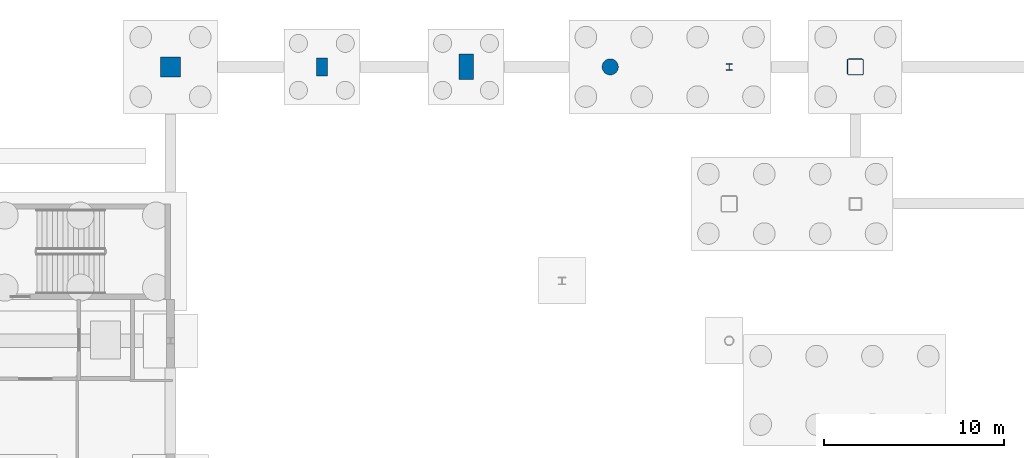
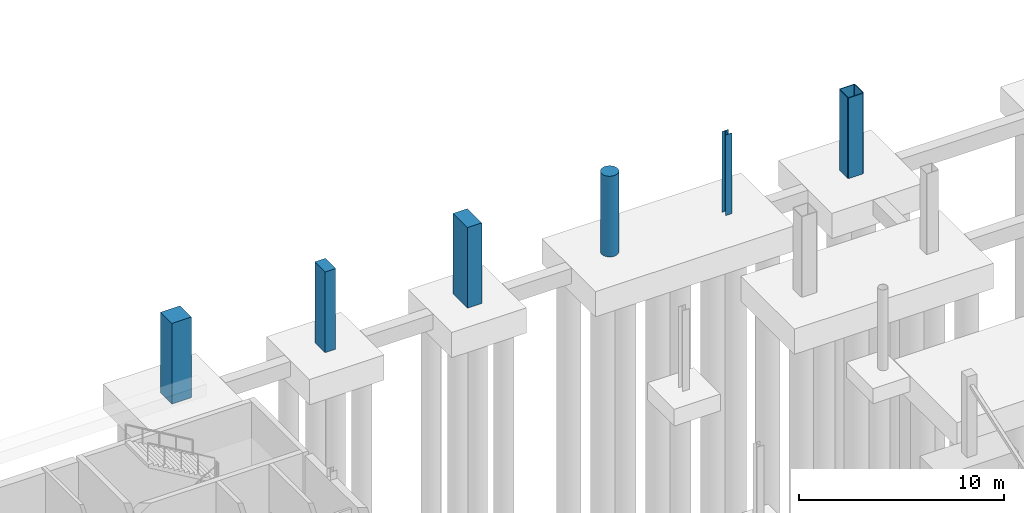
# One storey, part 16 of 34: 6 columns.
"""IFC4 building model written with IfcOpenShell, lengths in metres."""

from ifc_helpers import new_model, si_unit, direction, frame, origin, origin_2d, place, context, subcontext, project, spatial, rectangle, hollow_rectangle, circle, i_section, extrude, material, material_profile, profile_set, type_object, element, save


model = new_model("IFC4")

# Units and contexts
model_context = context("Model", 3, precision=1e-05, world=origin(), true_north=direction((0.0, 1.0)))
body_context = subcontext(model_context, "Body", "Model", "MODEL_VIEW")
ifc_project = project(units=[si_unit("LENGTHUNIT", "METRE"), si_unit("AREAUNIT", "SQUARE_METRE"), si_unit("VOLUMEUNIT", "CUBIC_METRE"), si_unit("PLANEANGLEUNIT", "RADIAN"), si_unit("MASSUNIT", "GRAM", prefix="KILO")], contexts=[model_context])

# Site, building, storey
site_placement = place(None, origin())
site = spatial("IfcSite", under=ifc_project, at=site_placement, CompositionType="ELEMENT")
building_placement = place(site_placement, origin())
building = spatial("IfcBuilding", under=site, at=building_placement, Name="Larkvane Passage Sports Hall", CompositionType="ELEMENT")
storey_placement = place(building_placement, frame((0.0, 0.0, -4.800048828125)))
storey = spatial("IfcBuildingStorey", under=building, at=storey_placement, Name="B01", CompositionType="ELEMENT", Elevation=-4.800048828125)

# Columns
ifc_material_1 = material(Name="Concrete C50/60", Category="concrete")
ifc_material_profile_1 = material_profile(ifc_material_1, circle(Radius=0.449951171875, at=origin_2d()), Name="RC-CIR-900")
ifc_profile_set_1 = profile_set([ifc_material_profile_1], Name="Concrete C50/60")
column_type_1 = type_object("IfcColumnType", Name="COL-CIR-900", PredefinedType="COLUMN", material=ifc_profile_set_1)
column_1_placement = place(storey_placement, frame((118.0, 99.199951171875, 0.0), z_axis=(0.0, 0.0, 1.0), x_axis=(1.0, 0.0, 0.0)))
element("IfcColumn", 1, at=column_1_placement, inside=storey, type_object=column_type_1, Name="Column 16/M B01", PredefinedType="COLUMN", context=body_context, shape_type="SweptSolid", body=[
    extrude(circle(Radius=0.449951171875, at=origin_2d()), origin(), (0.0, 0.0, 1.0), 4.800048828125),
])
ifc_material_profile_2 = material_profile(ifc_material_1, rectangle(XDim=1.10009765625, YDim=1.10009765625, at=origin_2d()), Name="RC-COL-1100x1100")
ifc_profile_set_2 = profile_set([ifc_material_profile_2], Name="Concrete C50/60")
column_type_2 = type_object("IfcColumnType", Name="COL-RC-1100", PredefinedType="COLUMN", material=ifc_profile_set_2)
column_2_placement = place(storey_placement, frame((93.60009765625, 99.199951171875, 0.0), z_axis=(0.0, 0.0, 1.0), x_axis=(1.0, 0.0, 0.0)))
element("IfcColumn", 2, at=column_2_placement, inside=storey, type_object=column_type_2, Name="Column 13/M B01", PredefinedType="COLUMN", context=body_context, shape_type="SweptSolid", body=[
    extrude(rectangle(XDim=1.10009765625, YDim=1.10009765625, at=origin_2d()), origin(), (0.0, 0.0, 1.0), 4.800048828125),
])
ifc_material_2 = material(Name="Concrete C40/50", Category="concrete")
ifc_material_profile_3 = material_profile(ifc_material_2, rectangle(XDim=0.60009765625, YDim=1.0, at=origin_2d()), Name="RC-COL-600x1000")
ifc_profile_set_3 = profile_set([ifc_material_profile_3], Name="Concrete C40/50")
column_type_3 = type_object("IfcColumnType", Name="COL-RC-600x1000", PredefinedType="COLUMN", material=ifc_profile_set_3)
column_3_placement = place(storey_placement, frame((102.0, 99.199951171875, 0.0), z_axis=(0.0, 0.0, 1.0), x_axis=(1.0, 0.0, 0.0)))
element("IfcColumn", 3, at=column_3_placement, inside=storey, type_object=column_type_3, Name="Column 14/M B01", PredefinedType="COLUMN", context=body_context, shape_type="SweptSolid", body=[
    extrude(rectangle(XDim=0.60009765625, YDim=1.0, at=origin_2d()), origin(), (0.0, 0.0, 1.0), 4.800048828125),
])
ifc_material_profile_4 = material_profile(ifc_material_1, rectangle(XDim=0.800048828125, YDim=1.39990234375, at=origin_2d()), Name="RC-COL-800x1400")
ifc_profile_set_4 = profile_set([ifc_material_profile_4], Name="Concrete C50/60")
column_type_4 = type_object("IfcColumnType", Name="COL-RC-800x1400", PredefinedType="COLUMN", material=ifc_profile_set_4)
column_4_placement = place(storey_placement, frame((110.0, 99.199951171875, 0.0), z_axis=(0.0, 0.0, 1.0), x_axis=(1.0, 0.0, 0.0)))
element("IfcColumn", 4, at=column_4_placement, inside=storey, type_object=column_type_4, Name="Column 15/M B01", PredefinedType="COLUMN", context=body_context, shape_type="SweptSolid", body=[
    extrude(rectangle(XDim=0.800048828125, YDim=1.39990234375, at=origin_2d()), origin(), (0.0, 0.0, 1.0), 4.800048828125),
])
ifc_material_3 = material(Name="Steel S460N", Category="steel")
ifc_material_profile_5 = material_profile(ifc_material_3, hollow_rectangle(XDim=0.89990234375, YDim=0.89990234375, WallThickness=0.035888671875, InnerFilletRadius=0.035888671875, OuterFilletRadius=0.072021484375, at=origin_2d()), Name="BOX-900x900x36")
ifc_profile_set_5 = profile_set([ifc_material_profile_5], Name="Steel S460N")
column_type_5 = type_object("IfcColumnType", Name="COL-STL-BOX900", PredefinedType="COLUMN", material=ifc_profile_set_5)
column_5_placement = place(storey_placement, frame((131.60009765625, 99.199951171875, 0.0), z_axis=(0.0, 0.0, 1.0), x_axis=(1.0, 0.0, 0.0)))
element("IfcColumn", 5, at=column_5_placement, inside=storey, type_object=column_type_5, Name="Column 18/M B01", PredefinedType="COLUMN", context=body_context, shape_type="SweptSolid", body=[
    extrude(hollow_rectangle(XDim=0.89990234375, YDim=0.89990234375, WallThickness=0.035888671875, InnerFilletRadius=0.035888671875, OuterFilletRadius=0.072021484375, at=origin_2d()), origin(), (0.0, 0.0, 1.0), 4.800048828125),
])
ifc_material_4 = material(Name="Steel S355JR", Category="steel")
ifc_material_profile_6 = material_profile(ifc_material_4, i_section(OverallWidth=0.35009765625, OverallDepth=0.35009765625, WebThickness=0.011962890625, FlangeThickness=0.01904296875, FilletRadius=0.012939453125, at=origin_2d()), Name="H-350x350x12x19")
ifc_profile_set_6 = profile_set([ifc_material_profile_6], Name="Steel S355JR")
column_type_6 = type_object("IfcColumnType", Name="COL-STL-H350", PredefinedType="COLUMN", material=ifc_profile_set_6)
column_6_placement = place(storey_placement, frame((124.60009765625, 99.199951171875, 0.0), z_axis=(0.0, 0.0, 1.0), x_axis=(1.0, 0.0, 0.0)))
element("IfcColumn", 6, at=column_6_placement, inside=storey, type_object=column_type_6, Name="Column 17/M B01", PredefinedType="COLUMN", context=body_context, shape_type="SweptSolid", body=[
    extrude(i_section(OverallWidth=0.35009765625, OverallDepth=0.35009765625, WebThickness=0.011962890625, FlangeThickness=0.01904296875, FilletRadius=0.012939453125, at=origin_2d()), origin(), (0.0, 0.0, 1.0), 4.800048828125),
])

save(model, "model.ifc")
